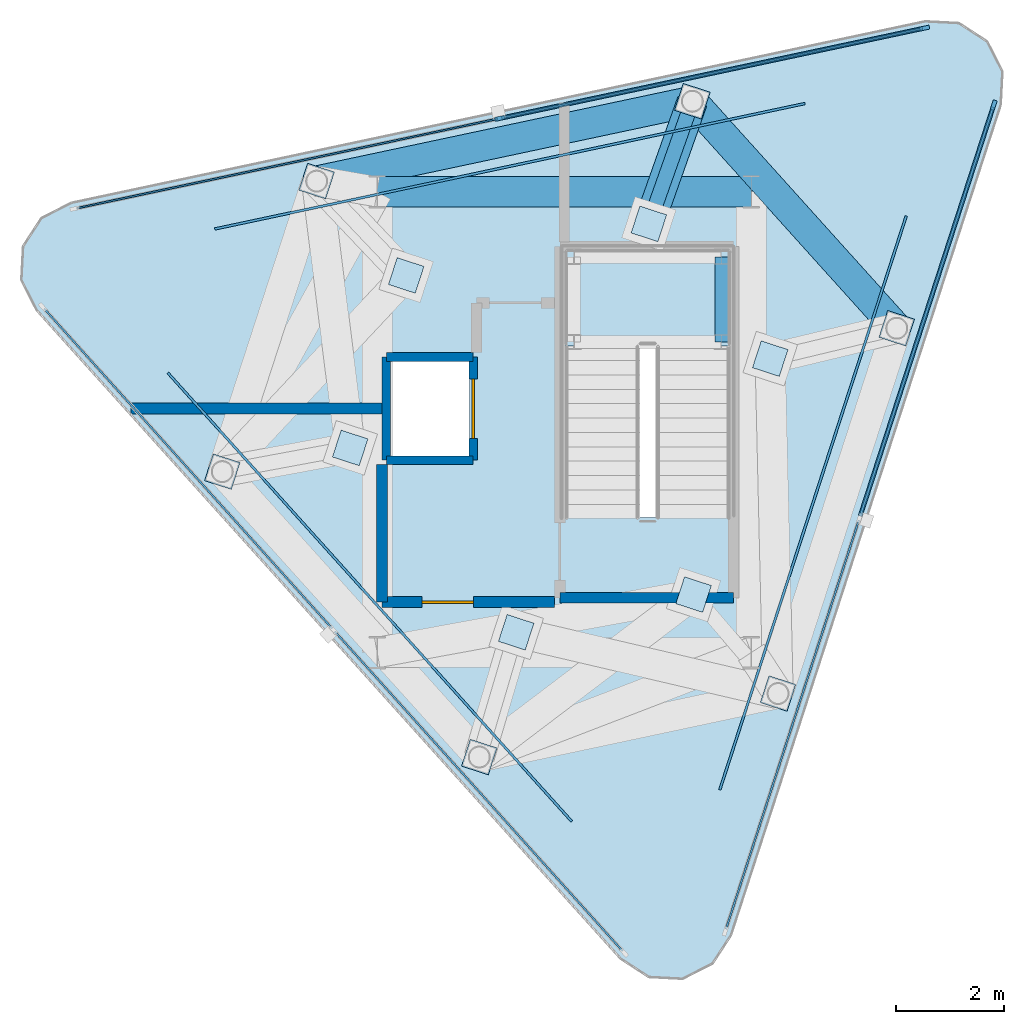
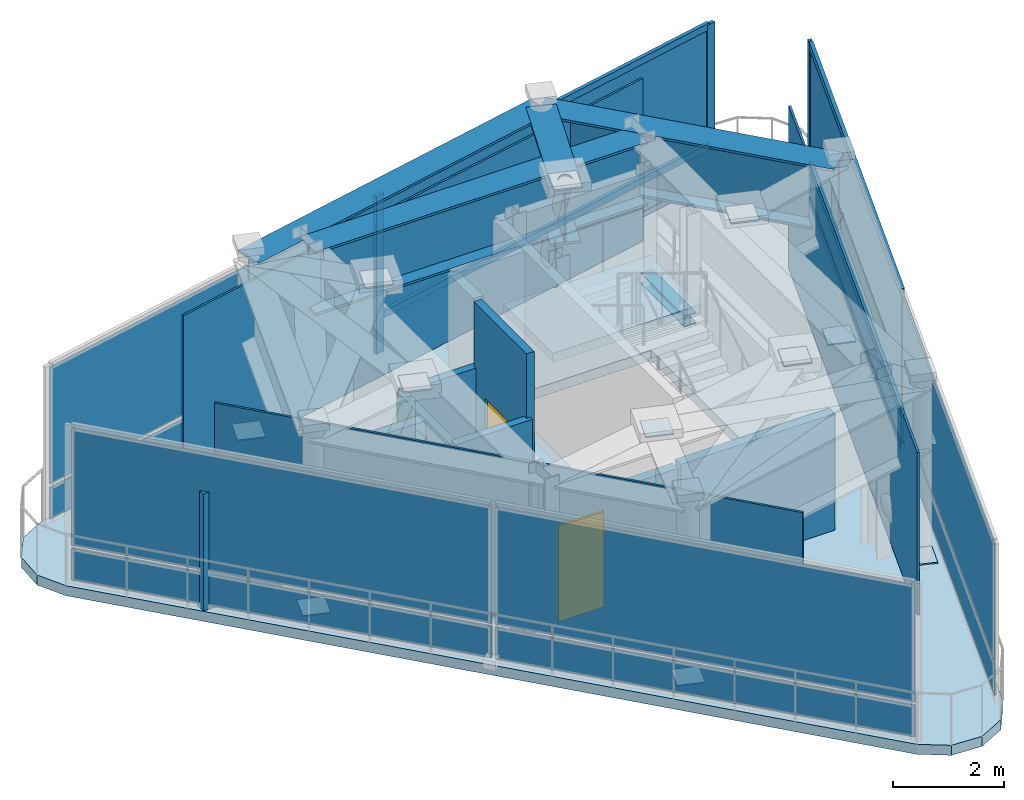
# One storey, part 2 of 4: 27 plates, 10 members, 8 walls, 5 beams, 2 doors, 2 slabs, 2 openings, 4 elements without a shape of their own.
"""IFC4 building model written with IfcOpenShell, lengths in metres."""

from ifc_helpers import new_model, si_unit, direction, frame, frame_2d, origin, origin_2d, place, context, subcontext, project, spatial, polyline, rectangle, hollow_circle, i_section, outline, extrude, material, layer, layer_set, material_profile, profile_set, type_object, element, fill, aggregate, save


model = new_model("IFC4")

# Units and contexts
model_context = context("Model", 3, precision=1e-05, world=origin(), true_north=direction((0.0, 1.0)))
body_context = subcontext(model_context, "Body", "Model", "MODEL_VIEW")
ifc_project = project(units=[si_unit("LENGTHUNIT", "METRE"), si_unit("AREAUNIT", "SQUARE_METRE"), si_unit("VOLUMEUNIT", "CUBIC_METRE"), si_unit("PLANEANGLEUNIT", "RADIAN"), si_unit("MASSUNIT", "GRAM", prefix="KILO")], contexts=[model_context])

# Site, building, storey
site_placement = place(None, origin())
site = spatial("IfcSite", under=ifc_project, at=site_placement, CompositionType="ELEMENT")
building_placement = place(site_placement, origin())
building = spatial("IfcBuilding", under=site, at=building_placement, Name="Terralouvre Media Tower", CompositionType="ELEMENT")
storey_placement = place(building_placement, frame((0.0, 0.0, 335.0)))
storey = spatial("IfcBuildingStorey", under=building, at=storey_placement, Name="L86", CompositionType="ELEMENT", Elevation=335.0)

# Curtain wall, members
ifc_material_1 = material(Name="Low-iron laminated double glazing with solar-control coating", Category="glass")
ifc_layer_1 = layer(ifc_material_1, 0.1650390625, Name="Faceted Glass-Point Crown Curtain Wall CW-06")
ifc_layer_set_1 = layer_set([ifc_layer_1], Name="Low-iron laminated double glazing with solar-control coating")
curtain_wall_type = type_object("IfcCurtainWallType", Name="Faceted Glass-Point Crown Curtain Wall CW-06", PredefinedType="NOTDEFINED", material=ifc_layer_set_1)
curtain_wall_1_placement = place(storey_placement, origin())
curtain_wall_1 = element("IfcCurtainWall", 1, at=curtain_wall_1_placement, inside=storey, type_object=curtain_wall_type, Name="L86 Facade Curtain Wall F0", PredefinedType="NOTDEFINED")
ifc_material_2 = material(Name="Anodised extruded aluminium 6063-T6", Category="aluminium")
ifc_material_profile_1 = material_profile(ifc_material_2, rectangle(XDim=0.074951171875, YDim=0.14990234375, at=origin_2d()), Name="ALU 75x150")
ifc_profile_set_1 = profile_set([ifc_material_profile_1], Name="Anodised extruded aluminium 6063-T6")
member_type_1 = type_object("IfcMemberType", Name="Curtain-Wall Horizontal Transom TR-150", PredefinedType="USERDEFINED", material=ifc_profile_set_1)
member_1_placement = place(storey_placement, frame((5.458984375, -1.734375, 0.03759765625), z_axis=(0.309021392034, 0.951055087398, 0.0), x_axis=(-0.951055087398, 0.309021392034, 0.0)))
member_1 = element("IfcMember", 2, at=member_1_placement, type_object=member_type_1, Name="CW-06 transom 2.1", ObjectType="TRANSOM", PredefinedType="USERDEFINED", context=body_context, shape_type="SweptSolid", body=[
    extrude(rectangle(XDim=0.074951171875, YDim=0.14990234375, at=origin_2d()), origin(), (0.0, 0.0, 1.0), 7.9375),
])
member_2_placement = place(storey_placement, frame((5.458984375, -1.734375, 0.800048828125), z_axis=(0.309021392034, 0.951055087398, 0.0), x_axis=(-0.951055087398, 0.309021392034, 0.0)))
member_2 = element("IfcMember", 3, at=member_2_placement, type_object=member_type_1, Name="CW-06 transom 2.2", ObjectType="TRANSOM", PredefinedType="USERDEFINED", context=body_context, shape_type="SweptSolid", body=[
    extrude(rectangle(XDim=0.074951171875, YDim=0.14990234375, at=origin_2d()), origin(), (0.0, 0.0, 1.0), 7.9375),
])
member_3_placement = place(storey_placement, frame((5.458984375, -1.734375, 3.4423828125), z_axis=(0.309021392034, 0.951055087398, 0.0), x_axis=(-0.951055087398, 0.309021392034, 0.0)))
member_3 = element("IfcMember", 4, at=member_3_placement, type_object=member_type_1, Name="CW-06 transom 2.3", ObjectType="TRANSOM", PredefinedType="USERDEFINED", context=body_context, shape_type="SweptSolid", body=[
    extrude(rectangle(XDim=0.074951171875, YDim=0.14990234375, at=origin_2d()), origin(), (0.0, 0.0, 1.0), 7.9375),
])

curtain_wall_2_placement = place(storey_placement, origin())
curtain_wall_2 = element("IfcCurtainWall", 5, at=curtain_wall_2_placement, inside=storey, type_object=curtain_wall_type, Name="L86 Facade Curtain Wall F1", PredefinedType="NOTDEFINED")
member_4_placement = place(storey_placement, frame((6.60986328125, 7.260498046875, 0.03759765625), z_axis=(-0.978150798439, -0.207896646227, 0.0), x_axis=(0.207896646227, -0.978150798439, 0.0)))
member_4 = element("IfcMember", 6, at=member_4_placement, type_object=member_type_1, Name="CW-06 transom 1.1", ObjectType="TRANSOM", PredefinedType="USERDEFINED", context=body_context, shape_type="SweptSolid", body=[
    extrude(rectangle(XDim=0.074951171875, YDim=0.14990234375, at=origin_2d()), origin(), (0.0, 0.0, 1.0), 7.937255859375),
])
member_5_placement = place(storey_placement, frame((6.60986328125, 7.260498046875, 0.800048828125), z_axis=(-0.978150798439, -0.207896646227, 0.0), x_axis=(0.207896646227, -0.978150798439, 0.0)))
member_5 = element("IfcMember", 7, at=member_5_placement, type_object=member_type_1, Name="CW-06 transom 1.2", ObjectType="TRANSOM", PredefinedType="USERDEFINED", context=body_context, shape_type="SweptSolid", body=[
    extrude(rectangle(XDim=0.074951171875, YDim=0.14990234375, at=origin_2d()), origin(), (0.0, 0.0, 1.0), 7.937255859375),
])
member_6_placement = place(storey_placement, frame((6.60986328125, 7.260498046875, 3.4423828125), z_axis=(-0.978150798439, -0.207896646227, 0.0), x_axis=(0.207896646227, -0.978150798439, 0.0)))
member_6 = element("IfcMember", 8, at=member_6_placement, type_object=member_type_1, Name="CW-06 transom 1.3", ObjectType="TRANSOM", PredefinedType="USERDEFINED", context=body_context, shape_type="SweptSolid", body=[
    extrude(rectangle(XDim=0.074951171875, YDim=0.14990234375, at=origin_2d()), origin(), (0.0, 0.0, 1.0), 7.937255859375),
])

# Member
ifc_material_3 = material(Name="Anodised extruded aluminium 6063-T6", Category="aluminium")
ifc_material_profile_2 = material_profile(ifc_material_3, rectangle(XDim=0.074951171875, YDim=0.179931640625, at=origin_2d()), Name="ALU 75x180")
ifc_profile_set_2 = profile_set([ifc_material_profile_2], Name="Anodised extruded aluminium 6063-T6")
member_type_2 = type_object("IfcMemberType", Name="Curtain-Wall Vertical Mullion ML-180", PredefinedType="MULLION", material=ifc_profile_set_2)
member_7_placement = place(storey_placement, frame((7.92333984375, 5.850341796875, 0.0), z_axis=(0.0, 0.0, 1.0), x_axis=(-0.951056582704, 0.309016789991, 0.0)))
member_7 = element("IfcMember", 9, at=member_7_placement, type_object=member_type_2, Name="CW-06 mullion 3", PredefinedType="MULLION", context=body_context, shape_type="SweptSolid", body=[
    extrude(rectangle(XDim=0.074951171875, YDim=0.179931640625, at=origin_2d()), origin(), (0.0, 0.0, 1.0), 3.47998046875),
])

member_8_placement = place(storey_placement, frame((6.646484375, 7.268310546875, 0.0), z_axis=(0.0, 0.0, 1.0), x_axis=(0.207911750638, -0.978147588019, 0.0)))
member_8 = element("IfcMember", 10, at=member_8_placement, type_object=member_type_2, Name="CW-06 mullion 1", PredefinedType="MULLION", context=body_context, shape_type="SweptSolid", body=[
    extrude(rectangle(XDim=0.074951171875, YDim=0.179931640625, at=origin_2d()), origin(), (0.0, 0.0, 1.0), 3.47998046875),
])

member_9_placement = place(storey_placement, frame((-1.19091796875, 5.6025390625, 0.0), z_axis=(0.0, 0.0, 1.0), x_axis=(0.207911750638, -0.978147588019, 0.0)))
member_9 = element("IfcMember", 11, at=member_9_placement, type_object=member_type_2, Name="CW-06 mullion 2", PredefinedType="MULLION", context=body_context, shape_type="SweptSolid", body=[
    extrude(rectangle(XDim=0.074951171875, YDim=0.179931640625, at=origin_2d()), origin(), (0.0, 0.0, 1.0), 3.47998046875),
])

ifc_material_4 = material(Name="Structural steel S355J2", Category="steel")
ifc_material_profile_3 = material_profile(ifc_material_4, hollow_circle(Radius=0.136474609375, WallThickness=0.012451171875, at=origin_2d()), Name="CHS 273x12.5")
ifc_profile_set_3 = profile_set([ifc_material_profile_3], Name="Structural steel S355J2")
member_type_3 = type_object("IfcMemberType", Name="Faceted Crown Rib Rafter RF-CHS273 (CHS 273x12.5)", PredefinedType="RAFTER", material=ifc_profile_set_3)
member_10_placement = place(storey_placement, frame((2.363037109375, 5.918212890625, 0.14990234375), z_axis=(-0.177291985951, -0.500382591671, 0.847457853625), x_axis=(0.942583853333, -0.333969578607, 0.0)))
element("IfcMember", 12, at=member_10_placement, inside=storey, type_object=member_type_3, Name="L86 Faceted Glass-Point Crown Rib 21", PredefinedType="RAFTER", context=body_context, shape_type="SweptSolid", body=[
    extrude(hollow_circle(Radius=0.136474609375, WallThickness=0.012451171875, at=origin_2d()), origin(), (0.0, 0.0, 1.0), 4.51953125),
])

# Beams
ifc_material_5 = material(Name="Structural steel S355J2", Category="steel")
ifc_material_profile_4 = material_profile(ifc_material_5, i_section(OverallWidth=0.239990234375, OverallDepth=0.239990234375, WebThickness=0.010009765625, FlangeThickness=0.01708984375, at=origin_2d()), Name="HEB 240")
ifc_profile_set_4 = profile_set([ifc_material_profile_4], Name="Structural steel S355J2")
beam_type_1 = type_object("IfcBeamType", Name="Opening Lintel Beam LN-240H (HEB 240)", PredefinedType="LINTEL", material=ifc_profile_set_4)
beam_1_placement = place(storey_placement, frame((2.89990234375, 1.47998046875, 1.780029296875), z_axis=(0.0, 1.0, 0.0), x_axis=(-1.0, 0.0, 0.0)))
element("IfcBeam", 13, at=beam_1_placement, inside=storey, type_object=beam_type_1, Name="L86 ST-05 Landing Support Beam 1EC", PredefinedType="LINTEL", context=body_context, shape_type="SweptSolid", body=[
    extrude(i_section(OverallWidth=0.239990234375, OverallDepth=0.239990234375, WebThickness=0.010009765625, FlangeThickness=0.01708984375, at=origin_2d()), origin(), (0.0, 0.0, 1.0), 1.570068359375),
])
ifc_material_6 = material(Name="Structural steel S460M", Category="steel")
ifc_material_profile_5 = material_profile(ifc_material_6, i_section(OverallWidth=0.56005859375, OverallDepth=1.39990234375, WebThickness=0.031982421875, FlangeThickness=0.050048828125, at=origin_2d()), Name="TG 1400x560")
ifc_profile_set_5 = profile_set([ifc_material_profile_5], Name="Structural steel S460M")
beam_type_2 = type_object("IfcBeamType", Name="Welded Transfer Girder TG-1400 (TG 1400x560)", PredefinedType="USERDEFINED", material=ifc_profile_set_5)
beam_2_placement = place(storey_placement, frame((3.449951171875, 4.25, 3.280029296875), z_axis=(-1.0, 0.0, 0.0), x_axis=(0.0, -1.0, 0.0)))
element("IfcBeam", 14, at=beam_2_placement, inside=storey, type_object=beam_type_2, Name="L86 Framing Beam BM-L86-CR03", ObjectType="TRANSFER GIRDER", PredefinedType="USERDEFINED", context=body_context, shape_type="SweptSolid", body=[
    extrude(i_section(OverallWidth=0.56005859375, OverallDepth=1.39990234375, WebThickness=0.031982421875, FlangeThickness=0.050048828125, at=origin_2d()), origin(), (0.0, 0.0, 1.0), 6.89990234375),
])
beam_3_placement = place(storey_placement, frame((6.1328125, 1.731689453125, 3.280029296875), z_axis=(-0.669151462411, 0.743126046074, 0.0), x_axis=(-0.743126046074, -0.669151462411, 0.0)))
element("IfcBeam", 15, at=beam_3_placement, inside=storey, type_object=beam_type_2, Name="L86 Framing Beam BM-L86-PR04", ObjectType="TRANSFER GIRDER", PredefinedType="USERDEFINED", context=body_context, shape_type="SweptSolid", body=[
    extrude(i_section(OverallWidth=0.56005859375, OverallDepth=1.39990234375, WebThickness=0.031982421875, FlangeThickness=0.050048828125, at=origin_2d()), origin(), (0.0, 0.0, 1.0), 5.633544921875),
])
beam_4_placement = place(storey_placement, frame((2.363037109375, 5.918212890625, 3.280029296875), z_axis=(-0.978153069639, -0.207885959977, 0.0), x_axis=(0.207885959977, -0.978153069639, 0.0)))
element("IfcBeam", 16, at=beam_4_placement, inside=storey, type_object=beam_type_2, Name="L86 Framing Beam BM-L86-PR05", ObjectType="TRANSFER GIRDER", PredefinedType="USERDEFINED", context=body_context, shape_type="SweptSolid", body=[
    extrude(i_section(OverallWidth=0.56005859375, OverallDepth=1.39990234375, WebThickness=0.031982421875, FlangeThickness=0.050048828125, at=origin_2d()), origin(), (0.0, 0.0, 1.0), 7.083984375),
])
beam_5_placement = place(storey_placement, frame((1.561767578125, 3.65673828125, 3.280029296875), z_axis=(0.333969578607, 0.942583853333, 0.0), x_axis=(-0.942583853333, 0.333969578607, 0.0)))
element("IfcBeam", 17, at=beam_5_placement, inside=storey, type_object=beam_type_2, Name="L86 Framing Beam BM-L86-TR03S1", ObjectType="TRANSFER GIRDER", PredefinedType="USERDEFINED", context=body_context, shape_type="SweptSolid", body=[
    extrude(i_section(OverallWidth=0.56005859375, OverallDepth=1.39990234375, WebThickness=0.031982421875, FlangeThickness=0.050048828125, at=origin_2d()), origin(), (0.0, 0.0, 1.0), 2.399169921875),
])

# Plates
ifc_material_7 = material(Name="Low-iron laminated double glazing with solar-control coating", Category="glass")
ifc_layer_2 = layer(ifc_material_7, 0.0419921875, Name="Crown Faceted Tapered Glass Panel CWP-04")
ifc_layer_set_2 = layer_set([ifc_layer_2], Name="Low-iron laminated double glazing with solar-control coating")
plate_type_1 = type_object("IfcPlateType", Name="Crown Faceted Tapered Glass Panel CWP-04", PredefinedType="SHEET", material=ifc_layer_set_2)
for number, where, z_axis, x_axis, name in (
    (18, (4.5888671875, -1.490966796875, 0.31494140625), (0.0, 0.0, 1.0), (0.3090168573, 0.951056560834, 0.0), "L86 Faceted Glass-Point Crown Panel F0"),
    (19, (-1.003173828125, 4.719482421875, 0.31494140625), (0.0, 0.0, 1.0), (-0.978147555117, -0.207911905429, 0.0), "L86 Faceted Glass-Point Crown Panel F1"),
    (20, (-3.585693359375, -3.228515625, 0.31494140625), (0.0, 0.0, 1.0), (0.66913073697, -0.743144707875, 0.0), "L86 Faceted Glass-Point Crown Panel F2"),
):
    element("IfcPlate", number, at=place(storey_placement, frame(where, z_axis=z_axis, x_axis=x_axis)), inside=storey, type_object=plate_type_1, Name=name, PredefinedType="SHEET", context=body_context, shape_type="SweptSolid", body=[
        extrude(rectangle(XDim=11.1298828125, YDim=0.044921875, at=origin_2d()), origin(), (0.0, 0.0, 1.0), 3.570068359375),
    ])

# Slab
ifc_material_8 = material(Name="Concrete C40/50", Category="concrete")
ifc_layer_3 = layer(ifc_material_8, 0.219970703125, Name="Crown Plant and Catwalk Slab S-CRN220")
ifc_layer_set_3 = layer_set([ifc_layer_3], Name="Concrete C40/50")
slab_type_1 = type_object("IfcSlabType", Name="Crown Plant and Catwalk Slab S-CRN220", PredefinedType="FLOOR", material=ifc_layer_set_3)
slab_1_placement = place(storey_placement, frame((0.0, 0.0, -0.219970703125), z_axis=(0.0, 0.0, 1.0), x_axis=(0.309016994375, 0.951056516295, 0.0)))
element("IfcSlab", 21, at=slab_1_placement, inside=storey, type_object=slab_type_1, Name="L86 Structural Floor Slab", PredefinedType="FLOOR", context=body_context, shape_type="SweptSolid", body=[
    extrude(outline(polyline([(-9.089111328125, -4.047607421875), (-9.25, -4.647705078125), (-9.089111328125, -5.24755859375), (-8.64990234375, -5.68701171875), (-8.050048828125, -5.84765625), (8.050048828125, -5.84765625), (8.64990234375, -5.68701171875), (9.089111328125, -5.24755859375), (9.25, -4.647705078125), (9.089111328125, -4.047607421875), (1.039306640625, 9.895263671875), (0.60009765625, 10.33447265625), (0.0, 10.495361328125), (-0.60009765625, 10.33447265625), (-1.039306640625, 9.895263671875), (-9.089111328125, -4.047607421875)]), holes=[polyline([(-1.57861328125, 2.851806640625), (0.076416015625, 3.389404296875), (0.5244140625, 2.010498046875), (-1.13037109375, 1.47265625), (-1.57861328125, 2.851806640625)]), polyline([(-1.669189453125, -0.542236328125), (3.04345703125, 0.98876953125), (3.9951171875, -1.9404296875), (-0.71728515625, -3.4716796875), (-1.669189453125, -0.542236328125)])]), origin(), (0.0, 0.0, 1.0), 0.219970703125),
])

# Plates
ifc_material_9 = material(Name="Structural steel S355J2", Category="steel")
ifc_layer_4 = layer(ifc_material_9, 0.028076171875, Name="Crown Rib End-Cap Node Plate ND-CR1")
ifc_layer_set_4 = layer_set([ifc_layer_4], Name="Structural steel S355J2")
plate_type_2 = type_object("IfcPlateType", Name="Crown Rib End-Cap Node Plate ND-CR1", PredefinedType="SHEET", material=ifc_layer_set_4)
for number, where, z_axis, x_axis, name in (
    (22, (3.94384765625, -5.005615234375, 0.1357421875), (0.0, 0.0, 1.0), (0.309016994375, 0.951056516295, 0.0), "L86 Crown Rib Base Plate 19"),
    (23, (2.385986328125, -3.180908203125, 3.9658203125), (0.0, 0.0, 1.0), (0.309016994375, 0.951056516295, 0.0), "L86 Crown Rib Top Plate 19"),
    (24, (6.1328125, 1.731689453125, 0.1357421875), (0.0, 0.0, 1.0), (0.309016994375, 0.951056516295, 0.0), "L86 Crown Rib Base Plate 20"),
    (25, (3.800048828125, 1.171142578125, 3.9658203125), (0.0, 0.0, 1.0), (0.309016994375, 0.951056516295, 0.0), "L86 Crown Rib Top Plate 20"),
    (26, (2.363037109375, 5.918212890625, 0.1357421875), (0.0, 0.0, 1.0), (0.309016994375, 0.951056516295, 0.0), "L86 Crown Rib Base Plate 21"),
    (27, (1.561767578125, 3.65673828125, 3.9658203125), (0.0, 0.0, 1.0), (0.309016994375, 0.951056516295, 0.0), "L86 Crown Rib Top Plate 21"),
    (28, (-4.566162109375, 4.445556640625, 0.1357421875), (0.0, 0.0, 1.0), (0.309016994375, 0.951056516295, 0.0), "L86 Crown Rib Base Plate 22"),
    (29, (-2.9140625, 2.70556640625, 3.9658203125), (0.0, 0.0, 1.0), (0.309016994375, 0.951056516295, 0.0), "L86 Crown Rib Top Plate 22"),
    (30, (-6.306884765625, -0.91259765625, 0.1357421875), (0.0, 0.0, 1.0), (0.309016994375, 0.951056516295, 0.0), "L86 Crown Rib Base Plate 23"),
    (31, (-3.94775390625, -0.475830078125, 3.9658203125), (0.0, 0.0, 1.0), (0.309016994375, 0.951056516295, 0.0), "L86 Crown Rib Top Plate 23"),
    (32, (-1.56689453125, -6.177001953125, 0.1357421875), (0.0, 0.0, 1.0), (0.309016994375, 0.951056516295, 0.0), "L86 Crown Rib Base Plate 24"),
    (33, (-0.885986328125, -3.87646484375, 3.9658203125), (0.0, 0.0, 1.0), (0.309016994375, 0.951056516295, 0.0), "L86 Crown Rib Top Plate 24"),
):
    element("IfcPlate", number, at=place(storey_placement, frame(where, z_axis=z_axis, x_axis=x_axis)), inside=storey, type_object=plate_type_2, Name=name, PredefinedType="SHEET", context=body_context, shape_type="SweptSolid", body=[
        extrude(rectangle(XDim=0.52001953125, YDim=0.52001953125, at=origin_2d()), origin(), (0.0, 0.0, 1.0), 0.028076171875),
    ])

# Stair, slab
ifc_material_10 = material(Name="Concrete C45/55", Category="concrete")
stair_type = type_object("IfcStairType", Name="Dogleg Stair Assembly ST-05", PredefinedType="HALF_TURN_STAIR", material=ifc_material_10)
stair_placement = place(storey_placement, origin())
stair = element("IfcStair", 34, at=stair_placement, inside=storey, type_object=stair_type, Name="L86 Crown Maintenance Stair ST-05", PredefinedType="HALF_TURN_STAIR")
ifc_material_11 = material(Name="Concrete C45/55", Category="concrete")
ifc_layer_5 = layer(ifc_material_11, 0.199951171875, Name="Reinforced Concrete Stair Half-Landing SL-LD1")
ifc_layer_set_5 = layer_set([ifc_layer_5], Name="Concrete C45/55")
slab_type_2 = type_object("IfcSlabType", Name="Reinforced Concrete Stair Half-Landing SL-LD1", PredefinedType="LANDING", material=ifc_layer_set_5)
slab_2_placement = place(storey_placement, frame((0.0, 0.0, 1.89990234375)))
slab_2 = element("IfcSlab", 35, at=slab_2_placement, type_object=slab_type_2, Name="ST-05 landing 1", PredefinedType="LANDING", context=body_context, shape_type="SweptSolid", body=[
    extrude(outline(polyline([(3.080078125, 1.39990234375), (3.080078125, 3.199951171875), (0.0, 3.199951171875), (0.0, 1.39990234375), (3.080078125, 1.39990234375)])), origin(), (0.0, 0.0, 1.0), 0.2001953125),
])
aggregate(stair, [slab_2])

# Plate
ifc_material_12 = material(Name="Low-iron laminated double glazing with solar-control coating", Category="glass")
ifc_layer_6 = layer(ifc_material_12, 0.035888671875, Name="Vision Double-Glazed Unit CWP-01")
ifc_layer_set_6 = layer_set([ifc_layer_6], Name="Low-iron laminated double glazing with solar-control coating")
plate_type_3 = type_object("IfcPlateType", Name="Vision Double-Glazed Unit CWP-01", PredefinedType="CURTAIN_PANEL", material=ifc_layer_set_6)
plate_1_placement = place(storey_placement, frame((4.209228515625, -5.580078125, 0.074951171875), z_axis=(0.0, 0.0, 1.0), x_axis=(0.309016789991, 0.951056582704, 0.0)))
plate_1 = element("IfcPlate", 36, at=plate_1_placement, type_object=plate_type_3, Name="CW-06 panel 1.1", PredefinedType="CURTAIN_PANEL", context=body_context, shape_type="SweptSolid", body=[
    extrude(rectangle(XDim=7.9375, YDim=0.035888671875, at=origin_2d()), origin(), (0.0, 0.0, 1.0), 0.6875),
])

plate_2_placement = place(storey_placement, frame((4.209228515625, -5.580078125, 0.837646484375), z_axis=(0.0, 0.0, 1.0), x_axis=(0.309016789991, 0.951056582704, 0.0)))
plate_2 = element("IfcPlate", 37, at=plate_2_placement, type_object=plate_type_3, Name="CW-06 panel 1.2", PredefinedType="CURTAIN_PANEL", context=body_context, shape_type="SweptSolid", body=[
    extrude(rectangle(XDim=7.9375, YDim=0.035888671875, at=origin_2d()), origin(), (0.0, 0.0, 1.0), 2.5673828125),
])

plate_3_placement = place(storey_placement, frame((6.685302734375, 2.040283203125, 0.074951171875), z_axis=(0.0, 0.0, 1.0), x_axis=(0.309016789991, 0.951056582704, 0.0)))
plate_3 = element("IfcPlate", 38, at=plate_3_placement, type_object=plate_type_3, Name="CW-06 panel 2.1", PredefinedType="CURTAIN_PANEL", context=body_context, shape_type="SweptSolid", body=[
    extrude(rectangle(XDim=7.9375, YDim=0.035888671875, at=origin_2d()), origin(), (0.0, 0.0, 1.0), 0.6875),
])

plate_4_placement = place(storey_placement, frame((6.685302734375, 2.040283203125, 0.837646484375), z_axis=(0.0, 0.0, 1.0), x_axis=(0.309016789991, 0.951056582704, 0.0)))
plate_4 = element("IfcPlate", 39, at=plate_4_placement, type_object=plate_type_3, Name="CW-06 panel 2.2", PredefinedType="CURTAIN_PANEL", context=body_context, shape_type="SweptSolid", body=[
    extrude(rectangle(XDim=7.9375, YDim=0.035888671875, at=origin_2d()), origin(), (0.0, 0.0, 1.0), 2.5673828125),
])

aggregate(curtain_wall_1, [member_7, plate_1, plate_2, member_1, member_2, member_3, plate_3, plate_4])

plate_5_placement = place(storey_placement, frame((2.727783203125, 6.435546875, 0.074951171875), z_axis=(0.0, 0.0, 1.0), x_axis=(-0.978147588019, -0.207911750638, 0.0)))
plate_5 = element("IfcPlate", 40, at=plate_5_placement, type_object=plate_type_3, Name="CW-06 panel 1.1", PredefinedType="CURTAIN_PANEL", context=body_context, shape_type="SweptSolid", body=[
    extrude(rectangle(XDim=7.9375, YDim=0.035888671875, at=origin_2d()), origin(), (0.0, 0.0, 1.0), 0.6875),
])

plate_6_placement = place(storey_placement, frame((2.727783203125, 6.435546875, 0.837646484375), z_axis=(0.0, 0.0, 1.0), x_axis=(-0.978147588019, -0.207911750638, 0.0)))
plate_6 = element("IfcPlate", 41, at=plate_6_placement, type_object=plate_type_3, Name="CW-06 panel 1.2", PredefinedType="CURTAIN_PANEL", context=body_context, shape_type="SweptSolid", body=[
    extrude(rectangle(XDim=7.9375, YDim=0.035888671875, at=origin_2d()), origin(), (0.0, 0.0, 1.0), 2.5673828125),
])

plate_7_placement = place(storey_placement, frame((-5.109619140625, 4.76953125, 0.074951171875), z_axis=(0.0, 0.0, 1.0), x_axis=(-0.978147588019, -0.207911750638, 0.0)))
plate_7 = element("IfcPlate", 42, at=plate_7_placement, type_object=plate_type_3, Name="CW-06 panel 2.1", PredefinedType="CURTAIN_PANEL", context=body_context, shape_type="SweptSolid", body=[
    extrude(rectangle(XDim=7.9375, YDim=0.035888671875, at=origin_2d()), origin(), (0.0, 0.0, 1.0), 0.6875),
])

plate_8_placement = place(storey_placement, frame((-5.109619140625, 4.76953125, 0.837646484375), z_axis=(0.0, 0.0, 1.0), x_axis=(-0.978147588019, -0.207911750638, 0.0)))
plate_8 = element("IfcPlate", 43, at=plate_8_placement, type_object=plate_type_3, Name="CW-06 panel 2.2", PredefinedType="CURTAIN_PANEL", context=body_context, shape_type="SweptSolid", body=[
    extrude(rectangle(XDim=7.9375, YDim=0.035888671875, at=origin_2d()), origin(), (0.0, 0.0, 1.0), 2.5673828125),
])

aggregate(curtain_wall_2, [member_8, member_9, member_4, member_5, member_6, plate_5, plate_6, plate_7, plate_8])

# Curtain wall, plates
curtain_wall_3_placement = place(storey_placement, origin())
curtain_wall_3 = element("IfcCurtainWall", 44, at=curtain_wall_3_placement, inside=storey, type_object=curtain_wall_type, Name="L86 Facade Curtain Wall F2", PredefinedType="NOTDEFINED")
plate_9_placement = place(storey_placement, frame((-6.937255859375, -0.855224609375, 0.074951171875), z_axis=(0.0, 0.0, 1.0), x_axis=(0.669130254954, -0.743145141884, 0.0)))
plate_9 = element("IfcPlate", 45, at=plate_9_placement, type_object=plate_type_3, Name="CW-06 panel 1.1", PredefinedType="CURTAIN_PANEL", context=body_context, shape_type="SweptSolid", body=[
    extrude(rectangle(XDim=7.9375, YDim=0.035888671875, at=origin_2d()), origin(), (0.0, 0.0, 1.0), 0.6875),
])
plate_10_placement = place(storey_placement, frame((-6.937255859375, -0.855224609375, 0.837646484375), z_axis=(0.0, 0.0, 1.0), x_axis=(0.669130254954, -0.743145141884, 0.0)))
plate_10 = element("IfcPlate", 46, at=plate_10_placement, type_object=plate_type_3, Name="CW-06 panel 1.2", PredefinedType="CURTAIN_PANEL", context=body_context, shape_type="SweptSolid", body=[
    extrude(rectangle(XDim=7.9375, YDim=0.035888671875, at=origin_2d()), origin(), (0.0, 0.0, 1.0), 2.5673828125),
])
plate_11_placement = place(storey_placement, frame((-1.57568359375, -6.809814453125, 0.074951171875), z_axis=(0.0, 0.0, 1.0), x_axis=(0.669130254954, -0.743145141884, 0.0)))
plate_11 = element("IfcPlate", 47, at=plate_11_placement, type_object=plate_type_3, Name="CW-06 panel 2.1", PredefinedType="CURTAIN_PANEL", context=body_context, shape_type="SweptSolid", body=[
    extrude(rectangle(XDim=7.9375, YDim=0.035888671875, at=origin_2d()), origin(), (0.0, 0.0, 1.0), 0.6875),
])
plate_12_placement = place(storey_placement, frame((-1.57568359375, -6.809814453125, 0.837646484375), z_axis=(0.0, 0.0, 1.0), x_axis=(0.669130254954, -0.743145141884, 0.0)))
plate_12 = element("IfcPlate", 48, at=plate_12_placement, type_object=plate_type_3, Name="CW-06 panel 2.2", PredefinedType="CURTAIN_PANEL", context=body_context, shape_type="SweptSolid", body=[
    extrude(rectangle(XDim=7.9375, YDim=0.035888671875, at=origin_2d()), origin(), (0.0, 0.0, 1.0), 2.5673828125),
])
aggregate(curtain_wall_3, [plate_9, plate_10, plate_11, plate_12])

# Walls
ifc_material_13 = material(Name="Fire-rated gypsum board drywall partition")
ifc_layer_7 = layer(ifc_material_13, 0.199951171875, Name="Fire-Rated Shaft and Lobby Partition FW-200")
ifc_layer_set_7 = layer_set([ifc_layer_7], Name="Fire-rated gypsum board drywall partition")
wall_type = type_object("IfcWallType", Name="Fire-Rated Shaft and Lobby Partition FW-200", PredefinedType="SOLIDWALL", material=ifc_layer_set_7)
wall_1_placement = place(storey_placement, frame((-0.080078125, -3.239990234375, 0.0), z_axis=(0.0, 0.0, 1.0), x_axis=(1.0, 0.0, 0.0)))
element("IfcWall", 49, at=wall_1_placement, inside=storey, type_object=wall_type, Name="L86 ST05 Stair Shaft Wall S", PredefinedType="SOLIDWALL", context=body_context, shape_type="SweptSolid", body=[
    extrude(rectangle(XDim=3.2001953125, YDim=0.199951171875, at=frame_2d((1.60009765625, 0.0))), origin(), (0.0, 0.0, 1.0), 2.56494140625),
])
wall_2_placement = place(storey_placement, frame((-3.280029296875, -0.699951171875, 0.0), z_axis=(0.0, 0.0, 1.0), x_axis=(0.0, 1.0, 0.0)))
element("IfcWall", 50, at=wall_2_placement, inside=storey, type_object=wall_type, Name="L86 CSL-01 Lift Shaft Wall W", PredefinedType="SOLIDWALL", context=body_context, shape_type="SweptSolid", body=[
    extrude(rectangle(XDim=1.89990234375, YDim=0.159912109375, at=frame_2d((0.949951171875, 0.0))), origin(), (0.0, 0.0, 1.0), 2.56494140625),
])
for number, where, z_axis, x_axis, name in (
    (51, (-3.280029296875, 1.199951171875, 0.0), (0.0, 0.0, 1.0), (1.0, 0.0, 0.0), "L86 CSL-01 Lift Shaft Wall N"),
    (52, (-1.679931640625, -0.699951171875, 0.0), (0.0, 0.0, 1.0), (-1.0, 0.0, 0.0), "L86 CSL-01 Lift Shaft Wall S"),
):
    element("IfcWall", number, at=place(storey_placement, frame(where, z_axis=z_axis, x_axis=x_axis)), inside=storey, type_object=wall_type, Name=name, PredefinedType="SOLIDWALL", context=body_context, shape_type="SweptSolid", body=[
        extrude(rectangle(XDim=1.60009765625, YDim=0.159912109375, at=frame_2d((0.800048828125, 0.0))), origin(), (0.0, 0.0, 1.0), 2.56494140625),
    ])

# Wall, opening, door
wall_3_placement = place(storey_placement, frame((-1.679931640625, -0.699951171875, 0.0), z_axis=(0.0, 0.0, 1.0), x_axis=(0.0, 1.0, 0.0)))
wall_3 = element("IfcWall", 53, at=wall_3_placement, inside=storey, type_object=wall_type, Name="L86 CSL-01 Lift Shaft Wall E", PredefinedType="SOLIDWALL", context=body_context, shape_type="SweptSolid", body=[
    extrude(rectangle(XDim=1.89990234375, YDim=0.159912109375, at=frame_2d((0.949951171875, 0.0))), origin(), (0.0, 0.0, 1.0), 3.97998046875),
])
opening_1_placement = place(wall_3_placement, frame((0.39990234375, 0.0, 0.0)))
opening_1 = element("IfcOpeningElement", 54, at=opening_1_placement, cuts=wall_3, Name="Opening LD-PL", PredefinedType="OPENING", context=body_context, shape_type="SweptSolid", body=[
    extrude(rectangle(XDim=1.10009765625, YDim=2.10009765625, at=frame_2d((0.550048828125, 1.050048828125))), frame((0.0, 0.08984375, 0.0), z_axis=(0.0, -1.0, 0.0), x_axis=(1.0, 0.0, 0.0)), (0.0, 0.0, 1.0), 0.179931640625),
])
ifc_material_14 = material(Name="Stainless steel 316 handrail and balustrade", Category="steel")
door_type_1 = type_object("IfcDoorType", Name="Passenger Lift Sliding Landing Door LD-PL", OperationType="SLIDING_TO_LEFT", PredefinedType="DOOR", material=ifc_material_14)
door_1_placement = place(opening_1_placement, origin())
door_1 = element("IfcDoor", 55, at=door_1_placement, inside=storey, type_object=door_type_1, Name="L86 Crown Service Lift CSL-01 Landing Door", OperationType="SLIDING_TO_LEFT", OverallHeight=2.10009765625, OverallWidth=1.10009765625, PredefinedType="DOOR", context=body_context, shape_type="SweptSolid", body=[
    extrude(rectangle(XDim=1.10009765625, YDim=2.10009765625, at=frame_2d((0.550048828125, 1.050048828125))), frame((0.0, 0.02490234375, 0.0), z_axis=(0.0, -1.0, 0.0), x_axis=(1.0, 0.0, 0.0)), (0.0, 0.0, 1.0), 0.050048828125),
])
fill(opening_1, door_1)

# Wall
wall_4_placement = place(storey_placement, frame((-3.360107421875, -0.780029296875, 0.0), z_axis=(0.0, 0.0, 1.0), x_axis=(0.0, -1.0, 0.0)))
element("IfcWall", 56, at=wall_4_placement, inside=storey, type_object=wall_type, Name="L86 Interior Partition 001", PredefinedType="SOLIDWALL", context=body_context, shape_type="SweptSolid", body=[
    extrude(rectangle(XDim=2.5400390625, YDim=0.199951171875, at=frame_2d((1.27001953125, 0.0))), origin(), (0.0, 0.0, 1.0), 2.56494140625),
])

# Wall, opening, door
wall_5_placement = place(storey_placement, frame((-3.360107421875, -3.320068359375, 0.0), z_axis=(0.0, 0.0, 1.0), x_axis=(1.0, 0.0, 0.0)))
wall_5 = element("IfcWall", 57, at=wall_5_placement, inside=storey, type_object=wall_type, Name="L86 Interior Partition 002", PredefinedType="SOLIDWALL", context=body_context, shape_type="SweptSolid", body=[
    extrude(rectangle(XDim=3.18017578125, YDim=0.199951171875, at=frame_2d((1.590087890625, 0.0))), origin(), (0.0, 0.0, 1.0), 2.56494140625),
])
opening_2_placement = place(wall_5_placement, frame((0.7333984375, 0.0, 0.0)))
opening_2 = element("IfcOpeningElement", 58, at=opening_2_placement, cuts=wall_5, Name="Opening FD-02-95X210", PredefinedType="OPENING", context=body_context, shape_type="SweptSolid", body=[
    extrude(rectangle(XDim=0.949951171875, YDim=2.10009765625, at=frame_2d((0.47509765625, 1.050048828125))), frame((0.0, 0.10986328125, 0.0), z_axis=(0.0, -1.0, 0.0), x_axis=(1.0, 0.0, 0.0)), (0.0, 0.0, 1.0), 0.219970703125),
])
ifc_material_15 = material(Name="Galvanised steel fire-resisting leaf", Category="steel")
door_type_2 = type_object("IfcDoorType", Name="Plant and Riser Fire Door FD-02 (950x2100)", OperationType="NOTDEFINED", PredefinedType="DOOR", material=ifc_material_15)
door_2_placement = place(opening_2_placement, origin())
door_2 = element("IfcDoor", 59, at=door_2_placement, inside=storey, type_object=door_type_2, Name="L86 L86 Upper Damper Mechanical Equipment Room Door", OperationType="SINGLE_SWING_RIGHT", OverallHeight=2.10009765625, OverallWidth=0.949951171875, PredefinedType="DOOR", context=body_context, shape_type="SweptSolid", body=[
    extrude(rectangle(XDim=0.949951171875, YDim=2.10009765625, at=frame_2d((0.47509765625, 1.050048828125))), frame((0.0, 0.02490234375, 0.0), z_axis=(0.0, -1.0, 0.0), x_axis=(1.0, 0.0, 0.0)), (0.0, 0.0, 1.0), 0.050048828125),
])
fill(opening_2, door_2)

# Wall
wall_6_placement = place(storey_placement, frame((-3.360107421875, 0.25, 0.0), z_axis=(0.0, 0.0, 1.0), x_axis=(-1.0, 0.0, 0.0)))
element("IfcWall", 60, at=wall_6_placement, inside=storey, type_object=wall_type, Name="L86 Interior Partition 005", PredefinedType="SOLIDWALL", context=body_context, shape_type="SweptSolid", body=[
    extrude(rectangle(XDim=4.626220703125, YDim=0.199951171875, at=frame_2d((2.31298828125, 0.0))), origin(), (0.0, 0.0, 1.0), 2.56494140625),
])

save(model, "model.ifc")
